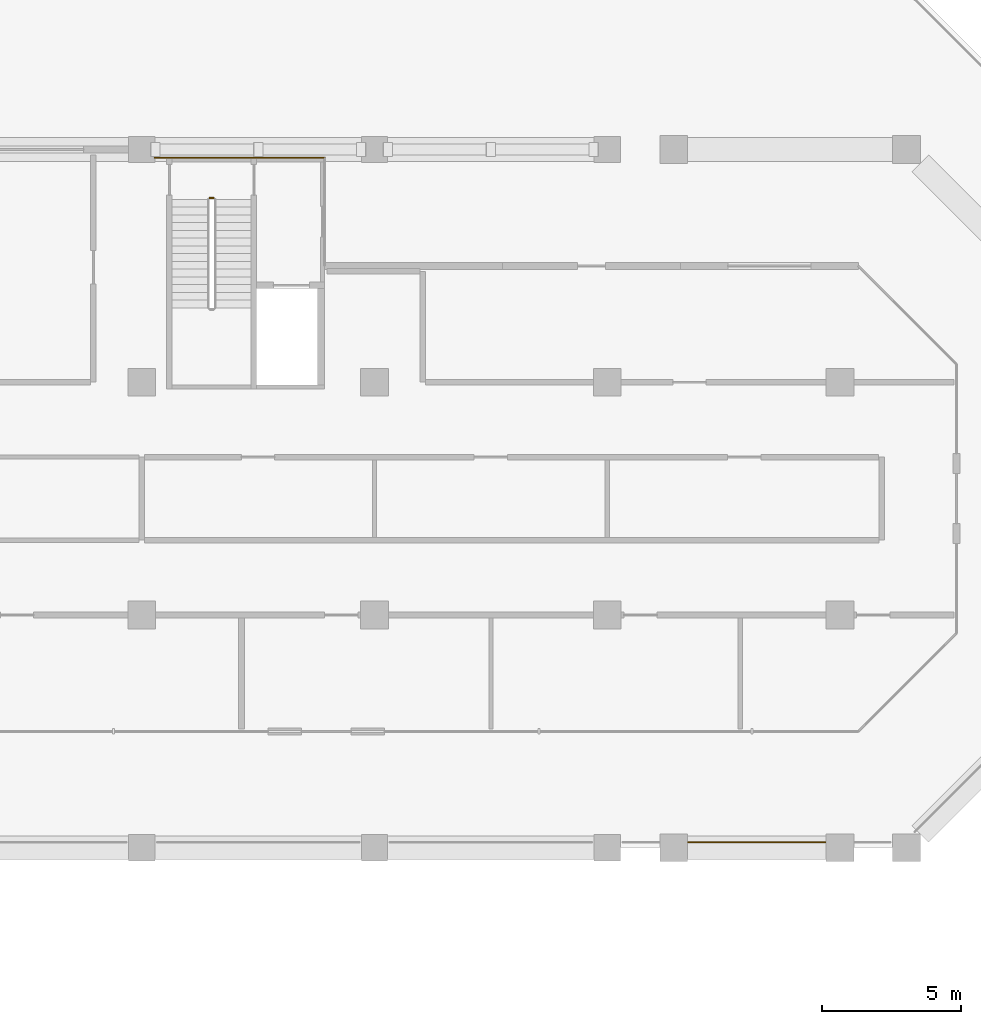
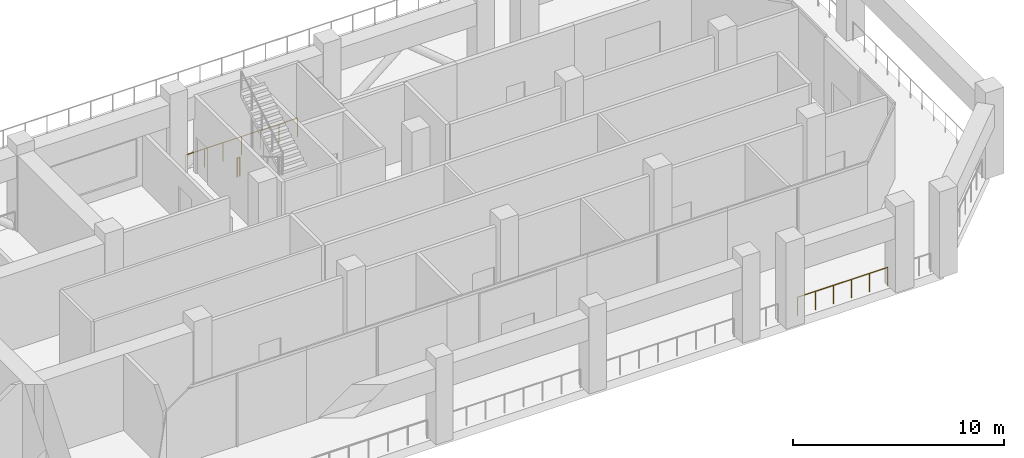
# One storey, part 18 of 19: 3 railings.
"""IFC4 building model written with IfcOpenShell, lengths in metres."""

import ifcopenshell
import ifcopenshell.guid

model = None  # the IFC model being written
_history = None  # IfcOwnerHistory: only IFC2X3 demands one
_inside = {}  # id of a spatial element -> (the spatial element, [elements in it])
_under = {}  # id of a project, library or spatial element -> (it, [spatial elements below it])
_declared = {}  # id of a project -> (the project, [libraries it declares])
_typed = {}  # id of a type object -> (the type object, [elements of that type])
_made_of = {}  # id of a material, layer set ... -> (it, [elements and type objects made of it])


def new_model(schema):
    """Start an empty IFC model of exactly this schema.

    Asked for "IFC4X3", IfcOpenShell would pick the latest addendum, in which some entities
    have other attributes; the version numbers below select the first issue.
    IFC2X3 requires an IfcOwnerHistory on every rooted entity: one is made here for all.
    """
    global model, _history
    if schema == "IFC4X3":
        model = ifcopenshell.file(schema_version=(4, 3, 0, 0))
    else:
        model = ifcopenshell.file(schema=schema)
    _inside.clear()
    _under.clear()
    _declared.clear()
    _typed.clear()
    _made_of.clear()
    _history = None
    if model.schema == "IFC2X3":
        org = make("IfcOrganization", Name="unknown")
        user = make(
            "IfcPersonAndOrganization",
            ThePerson=make("IfcPerson", FamilyName="unknown"),
            TheOrganization=org,
        )
        app = make(
            "IfcApplication",
            ApplicationDeveloper=org,
            Version="unknown",
            ApplicationFullName="unknown",
            ApplicationIdentifier="unknown",
        )
        _history = make(
            "IfcOwnerHistory",
            OwningUser=user,
            OwningApplication=app,
            ChangeAction="ADDED",
            CreationDate=0,
        )
    return model


def make(cls, **values):
    """One entity of the class cls with the attributes given. An attribute that is None is left unset."""
    return model.create_entity(
        cls, **{name: value for name, value in values.items() if value is not None}
    )


def rooted(cls, **values):
    """An entity with a GlobalId (a new one), such as an element, a storey or a relation."""
    return make(cls, GlobalId=ifcopenshell.guid.new(), OwnerHistory=_history, **values)


def si_unit(unit_type, name, prefix=None):
    """IfcSIUnit, for example si_unit("LENGTHUNIT", "METRE", prefix="MILLI")."""
    return make("IfcSIUnit", UnitType=unit_type, Prefix=prefix, Name=name)


def assignment(units):
    """IfcUnitAssignment: the units of a project."""
    return None if units is None else make("IfcUnitAssignment", Units=units)


def point(xyz):
    """IfcCartesianPoint."""
    return None if xyz is None else make("IfcCartesianPoint", Coordinates=xyz)


def direction(xyz):
    """IfcDirection."""
    return None if xyz is None else make("IfcDirection", DirectionRatios=xyz)


def frame(location, z_axis=None, x_axis=None):
    """IfcAxis2Placement3D, a coordinate frame: its origin and axes. An axis left out is left unset."""
    return make(
        "IfcAxis2Placement3D",
        Location=point(location),
        Axis=direction(z_axis),
        RefDirection=direction(x_axis),
    )


def frame_2d(location, x_axis=None):
    """IfcAxis2Placement2D, a coordinate frame in the plane: its origin and x axis."""
    return make(
        "IfcAxis2Placement2D", Location=point(location), RefDirection=direction(x_axis)
    )


def origin():
    """The frame at (0, 0, 0) with its axes left unset."""
    return frame((0.0, 0.0, 0.0))


def origin_2d():
    """The frame at (0, 0) in the plane with its x axis left unset."""
    return frame_2d((0.0, 0.0))


def place(relative_to, where):
    """IfcLocalPlacement: puts the frame where relative to a parent placement (None: the world)."""
    return make(
        "IfcLocalPlacement", PlacementRelTo=relative_to, RelativePlacement=where
    )


def context(
    kind, dimensions, precision=None, world=None, true_north=None, identifier=None
):
    """IfcGeometricRepresentationContext, for example the 3D "Model" context."""
    return make(
        "IfcGeometricRepresentationContext",
        ContextIdentifier=identifier,
        ContextType=kind,
        CoordinateSpaceDimension=dimensions,
        Precision=precision,
        WorldCoordinateSystem=world,
        TrueNorth=true_north,
    )


def subcontext(parent, identifier, kind, view, scale=None):
    """IfcGeometricRepresentationSubContext, for example "Body" below "Model"."""
    return make(
        "IfcGeometricRepresentationSubContext",
        ContextIdentifier=identifier,
        ContextType=kind,
        ParentContext=parent,
        TargetScale=scale,
        TargetView=view,
    )


def project(units=None, contexts=None):
    """IfcProject with its units and contexts."""
    return rooted(
        "IfcProject",
        Name="project",
        RepresentationContexts=contexts,
        UnitsInContext=assignment(units),
    )


def spatial(cls, under=None, at=None, **own):
    """A site, building, storey or space (cls), placed at a placement, below another one or the project."""
    s = rooted(cls, ObjectPlacement=at, **own)
    if under is not None:
        _under.setdefault(under.id(), (under, []))[1].append(s)
    return s


def profile(cls, at=None, kind="AREA", **sizes):
    """A parametric profile (cls). Its sizes go by their IFC names, for example OverallWidth=200.0."""
    return make(cls, ProfileType=kind, Position=at, **sizes)


def circle(**sizes):
    """IfcCircleProfileDef."""
    return profile("IfcCircleProfileDef", **sizes)


def extrude(swept, where, along, depth):
    """IfcExtrudedAreaSolid: the profile swept, set in the frame where, extruded along a direction by depth."""
    return make(
        "IfcExtrudedAreaSolid",
        SweptArea=swept,
        Position=where,
        ExtrudedDirection=direction(along),
        Depth=depth,
    )


def shape(context_of_items, identifier, shape_type, items):
    """IfcShapeRepresentation: the items that make up one representation, for example the "Body"."""
    return make(
        "IfcShapeRepresentation",
        ContextOfItems=context_of_items,
        RepresentationIdentifier=identifier,
        RepresentationType=shape_type,
        Items=items,
    )


def material(Name=None, Category=None):
    """IfcMaterial."""
    return make("IfcMaterial", Name=Name, Category=Category)


def made_of(thing, what):
    """Note that an element or type object is made of a material, layer set ...; save() writes the relation."""
    if what is not None:
        _made_of.setdefault(what.id(), (what, []))[1].append(thing)
    return thing


def type_object(cls, material=None, **own):
    """A type object (cls), such as IfcWallType, which elements share."""
    return made_of(rooted(cls, **own), material)


def element(
    cls,
    number,
    at=None,
    inside=None,
    cuts=None,
    type_object=None,
    material=None,
    context=None,
    identifier="Body",
    shape_type=None,
    held_by="IfcProductDefinitionShape",
    body=None,
    shapes=None,
    **own,
):
    """One element of the class cls, such as IfcWall. Its Tag is "e" and its number.

    at: its placement. inside: the storey or other place that contains it. cuts: it is an
    opening in that element (IfcRelVoidsElement). A single representation is given by context,
    identifier, shape_type and body (its items); several are given by shapes. held_by: the class
    of the entity that holds the representations. save() writes the other relations.
    """
    e = rooted(cls, Tag="e%d" % number, ObjectPlacement=at, **own)
    if body is not None:
        shapes = [shape(context, identifier, shape_type, body)]
    if shapes is not None:
        e.Representation = make(held_by, Representations=shapes)
    if inside is not None:
        _inside.setdefault(inside.id(), (inside, []))[1].append(e)
    if cuts is not None:
        rooted(
            "IfcRelVoidsElement", RelatingBuildingElement=cuts, RelatedOpeningElement=e
        )
    if type_object is not None:
        _typed.setdefault(type_object.id(), (type_object, []))[1].append(e)
    return made_of(e, material)


def aggregate(whole, parts):
    """IfcRelAggregates: a whole, such as a stair, and the parts it consists of."""
    return rooted("IfcRelAggregates", RelatingObject=whole, RelatedObjects=parts)


def save(model, path):
    """Write the relations noted so far, then the file.

    IfcRelAggregates (storeys below a building ...), IfcRelContainedInSpatialStructure (elements
    in a storey), IfcRelDefinesByType, IfcRelAssociatesMaterial and IfcRelDeclares: one each for
    every whole, place, type object, material and project.
    """
    for whole, parts in _under.values():
        aggregate(whole, parts)
    for where, things in _inside.values():
        rooted(
            "IfcRelContainedInSpatialStructure",
            RelatedElements=things,
            RelatingStructure=where,
        )
    for kind, things in _typed.values():
        rooted("IfcRelDefinesByType", RelatedObjects=things, RelatingType=kind)
    for what, things in _made_of.values():
        rooted("IfcRelAssociatesMaterial", RelatedObjects=things, RelatingMaterial=what)
    for by, libraries in _declared.values():
        rooted("IfcRelDeclares", RelatingContext=by, RelatedDefinitions=libraries)
    model.write(path)


model = new_model("IFC4")

# Units and contexts
model_context = context("Model", 3, precision=1e-05, world=origin(), true_north=direction((0.0, 1.0)))
body_context = subcontext(model_context, "Body", "Model", "MODEL_VIEW")
ifc_project = project(units=[si_unit("LENGTHUNIT", "METRE"), si_unit("AREAUNIT", "SQUARE_METRE"), si_unit("VOLUMEUNIT", "CUBIC_METRE"), si_unit("PLANEANGLEUNIT", "RADIAN"), si_unit("MASSUNIT", "GRAM", prefix="KILO")], contexts=[model_context])

# Site, building, storey
site_placement = place(None, origin())
site = spatial("IfcSite", under=ifc_project, at=site_placement, CompositionType="ELEMENT")
building_placement = place(site_placement, origin())
building = spatial("IfcBuilding", under=site, at=building_placement, Name="Kawkab Arch Medical Tower", CompositionType="ELEMENT")
storey_placement = place(building_placement, frame((0.0, 0.0, 153.39990234375)))
storey = spatial("IfcBuildingStorey", under=building, at=storey_placement, Name="L35", CompositionType="ELEMENT", Elevation=153.39990234375)

# Railings
ifc_material_1 = material(Name="Bronze anodised aluminium guard", Category="aluminium")
railing_type_1 = type_object("IfcRailingType", Name="Loggia and terrace guard 1100", PredefinedType="GUARDRAIL", material=ifc_material_1)
railing_1_placement = place(storey_placement, frame((48.60107421875, -0.300048828125, 0.0)))
element("IfcRailing", 1, at=railing_1_placement, inside=storey, type_object=railing_type_1, Name="Band guard L35.R18.1", PredefinedType="GUARDRAIL", context=body_context, shape_type="SweptSolid", body=[
    extrude(circle(Radius=0.02392578125, at=origin_2d()), frame((0.0, 0.0, 1.076171875), z_axis=(-1.0, 0.0, 0.0), x_axis=(0.0, -1.0, 0.0)), (0.0, 0.0, 1.0), 6.1259765625),
    extrude(circle(Radius=0.02099609375, at=origin_2d()), origin(), (0.0, 0.0, 1.0), 1.052001953125),
    extrude(circle(Radius=0.02099609375, at=origin_2d()), frame((-1.02099609375, 0.0, 0.0)), (0.0, 0.0, 1.0), 1.052001953125),
    extrude(circle(Radius=0.02099609375, at=origin_2d()), frame((-2.0419921875, 0.0, 0.0)), (0.0, 0.0, 1.0), 1.052001953125),
    extrude(circle(Radius=0.02099609375, at=origin_2d()), frame((-3.06298828125, 0.0, 0.0)), (0.0, 0.0, 1.0), 1.052001953125),
    extrude(circle(Radius=0.02099609375, at=origin_2d()), frame((-4.083984375, 0.0, 0.0)), (0.0, 0.0, 1.0), 1.052001953125),
    extrude(circle(Radius=0.02099609375, at=origin_2d()), frame((-5.10498046875, 0.0, 0.0)), (0.0, 0.0, 1.0), 1.052001953125),
    extrude(circle(Radius=0.02099609375, at=origin_2d()), frame((-6.1259765625, 0.0, 0.0)), (0.0, 0.0, 1.0), 1.052001953125),
])
railing_2_placement = place(storey_placement, frame((66.669921875, -25.0, 0.0)))
element("IfcRailing", 2, at=railing_2_placement, inside=storey, type_object=railing_type_1, Name="Guard L35.REF-01.1.5", PredefinedType="GUARDRAIL", context=body_context, shape_type="SweptSolid", body=[
    extrude(circle(Radius=0.02392578125, at=origin_2d()), frame((0.0, 0.0, 1.076171875), z_axis=(-1.0, 0.0, 0.0), x_axis=(0.0, -1.0, 0.0)), (0.0, 0.0, 1.0), 4.93994140625),
    extrude(circle(Radius=0.02099609375, at=origin_2d()), origin(), (0.0, 0.0, 1.0), 1.052001953125),
    extrude(circle(Radius=0.02099609375, at=origin_2d()), frame((-0.988037109375, 0.0, 0.0)), (0.0, 0.0, 1.0), 1.052001953125),
    extrude(circle(Radius=0.02099609375, at=origin_2d()), frame((-1.97607421875, 0.0, 0.0)), (0.0, 0.0, 1.0), 1.052001953125),
    extrude(circle(Radius=0.02099609375, at=origin_2d()), frame((-2.9638671875, 0.0, 0.0)), (0.0, 0.0, 1.0), 1.052001953125),
    extrude(circle(Radius=0.02099609375, at=origin_2d()), frame((-3.951904296875, 0.0, 0.0)), (0.0, 0.0, 1.0), 1.052001953125),
    extrude(circle(Radius=0.02099609375, at=origin_2d()), frame((-4.93994140625, 0.0, 0.0)), (0.0, 0.0, 1.0), 1.052001953125),
])
ifc_material_2 = material(Name="Stainless steel", Category="steel")
railing_type_2 = type_object("IfcRailingType", Name="Stair guard 1100", PredefinedType="GUARDRAIL", material=ifc_material_2)
railing_3_placement = place(storey_placement, frame((44.449951171875, -1.75, 0.0)))
element("IfcRailing", 3, at=railing_3_placement, inside=storey, type_object=railing_type_2, Name="L35 ST5 stair guard 4", PredefinedType="GUARDRAIL", context=body_context, shape_type="SweptSolid", body=[
    extrude(circle(Radius=0.02392578125, at=origin_2d()), frame((0.0, 0.0, 1.076171875), z_axis=(1.0, 0.0, 0.0), x_axis=(0.0, 1.0, 0.0)), (0.0, 0.0, 1.0), 0.150146484375),
    extrude(circle(Radius=0.02099609375, at=origin_2d()), origin(), (0.0, 0.0, 1.0), 1.052001953125),
    extrude(circle(Radius=0.02099609375, at=origin_2d()), frame((0.150146484375, 0.0, 0.0)), (0.0, 0.0, 1.0), 1.052001953125),
])

save(model, "model.ifc")
